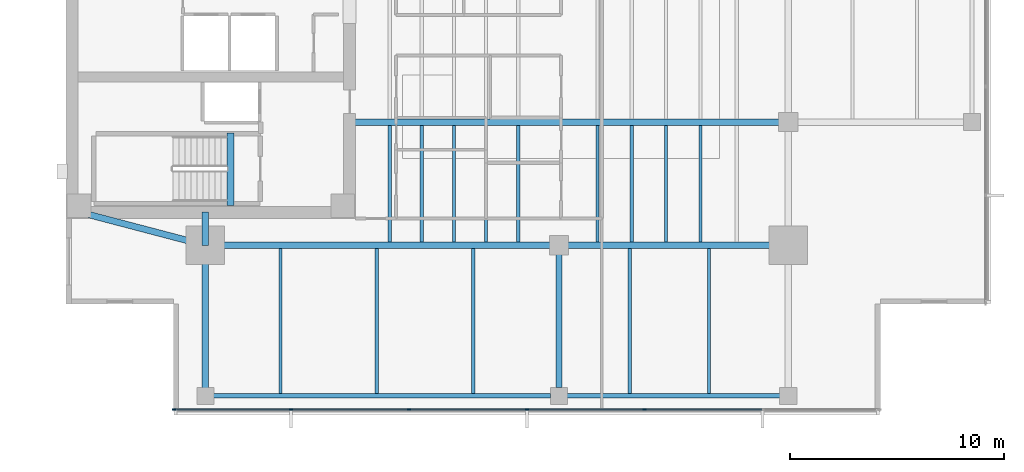
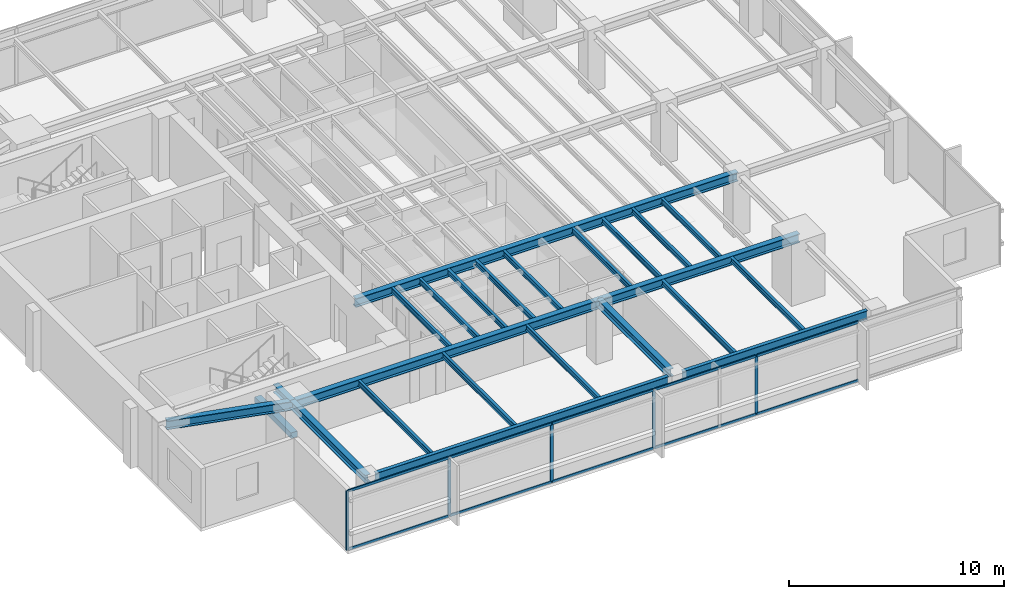
# One storey, part 2 of 14: 24 beams, 15 members, 1 element without a shape of its own.
"""IFC4 building model written with IfcOpenShell, lengths in metres."""

import ifcopenshell
import ifcopenshell.guid

model = None  # the IFC model being written
_history = None  # IfcOwnerHistory: only IFC2X3 demands one
_inside = {}  # id of a spatial element -> (the spatial element, [elements in it])
_under = {}  # id of a project, library or spatial element -> (it, [spatial elements below it])
_declared = {}  # id of a project -> (the project, [libraries it declares])
_typed = {}  # id of a type object -> (the type object, [elements of that type])
_made_of = {}  # id of a material, layer set ... -> (it, [elements and type objects made of it])


def new_model(schema):
    """Start an empty IFC model of exactly this schema.

    Asked for "IFC4X3", IfcOpenShell would pick the latest addendum, in which some entities
    have other attributes; the version numbers below select the first issue.
    IFC2X3 requires an IfcOwnerHistory on every rooted entity: one is made here for all.
    """
    global model, _history
    if schema == "IFC4X3":
        model = ifcopenshell.file(schema_version=(4, 3, 0, 0))
    else:
        model = ifcopenshell.file(schema=schema)
    _inside.clear()
    _under.clear()
    _declared.clear()
    _typed.clear()
    _made_of.clear()
    _history = None
    if model.schema == "IFC2X3":
        org = make("IfcOrganization", Name="unknown")
        user = make(
            "IfcPersonAndOrganization",
            ThePerson=make("IfcPerson", FamilyName="unknown"),
            TheOrganization=org,
        )
        app = make(
            "IfcApplication",
            ApplicationDeveloper=org,
            Version="unknown",
            ApplicationFullName="unknown",
            ApplicationIdentifier="unknown",
        )
        _history = make(
            "IfcOwnerHistory",
            OwningUser=user,
            OwningApplication=app,
            ChangeAction="ADDED",
            CreationDate=0,
        )
    return model


def make(cls, **values):
    """One entity of the class cls with the attributes given. An attribute that is None is left unset."""
    return model.create_entity(
        cls, **{name: value for name, value in values.items() if value is not None}
    )


def rooted(cls, **values):
    """An entity with a GlobalId (a new one), such as an element, a storey or a relation."""
    return make(cls, GlobalId=ifcopenshell.guid.new(), OwnerHistory=_history, **values)


def si_unit(unit_type, name, prefix=None):
    """IfcSIUnit, for example si_unit("LENGTHUNIT", "METRE", prefix="MILLI")."""
    return make("IfcSIUnit", UnitType=unit_type, Prefix=prefix, Name=name)


def assignment(units):
    """IfcUnitAssignment: the units of a project."""
    return None if units is None else make("IfcUnitAssignment", Units=units)


def point(xyz):
    """IfcCartesianPoint."""
    return None if xyz is None else make("IfcCartesianPoint", Coordinates=xyz)


def direction(xyz):
    """IfcDirection."""
    return None if xyz is None else make("IfcDirection", DirectionRatios=xyz)


def frame(location, z_axis=None, x_axis=None):
    """IfcAxis2Placement3D, a coordinate frame: its origin and axes. An axis left out is left unset."""
    return make(
        "IfcAxis2Placement3D",
        Location=point(location),
        Axis=direction(z_axis),
        RefDirection=direction(x_axis),
    )


def frame_2d(location, x_axis=None):
    """IfcAxis2Placement2D, a coordinate frame in the plane: its origin and x axis."""
    return make(
        "IfcAxis2Placement2D", Location=point(location), RefDirection=direction(x_axis)
    )


def origin():
    """The frame at (0, 0, 0) with its axes left unset."""
    return frame((0.0, 0.0, 0.0))


def origin_2d():
    """The frame at (0, 0) in the plane with its x axis left unset."""
    return frame_2d((0.0, 0.0))


def place(relative_to, where):
    """IfcLocalPlacement: puts the frame where relative to a parent placement (None: the world)."""
    return make(
        "IfcLocalPlacement", PlacementRelTo=relative_to, RelativePlacement=where
    )


def context(
    kind, dimensions, precision=None, world=None, true_north=None, identifier=None
):
    """IfcGeometricRepresentationContext, for example the 3D "Model" context."""
    return make(
        "IfcGeometricRepresentationContext",
        ContextIdentifier=identifier,
        ContextType=kind,
        CoordinateSpaceDimension=dimensions,
        Precision=precision,
        WorldCoordinateSystem=world,
        TrueNorth=true_north,
    )


def subcontext(parent, identifier, kind, view, scale=None):
    """IfcGeometricRepresentationSubContext, for example "Body" below "Model"."""
    return make(
        "IfcGeometricRepresentationSubContext",
        ContextIdentifier=identifier,
        ContextType=kind,
        ParentContext=parent,
        TargetScale=scale,
        TargetView=view,
    )


def project(units=None, contexts=None):
    """IfcProject with its units and contexts."""
    return rooted(
        "IfcProject",
        Name="project",
        RepresentationContexts=contexts,
        UnitsInContext=assignment(units),
    )


def spatial(cls, under=None, at=None, **own):
    """A site, building, storey or space (cls), placed at a placement, below another one or the project."""
    s = rooted(cls, ObjectPlacement=at, **own)
    if under is not None:
        _under.setdefault(under.id(), (under, []))[1].append(s)
    return s


def profile(cls, at=None, kind="AREA", **sizes):
    """A parametric profile (cls). Its sizes go by their IFC names, for example OverallWidth=200.0."""
    return make(cls, ProfileType=kind, Position=at, **sizes)


def rectangle(**sizes):
    """IfcRectangleProfileDef."""
    return profile("IfcRectangleProfileDef", **sizes)


def i_section(**sizes):
    """IfcIShapeProfileDef."""
    return profile("IfcIShapeProfileDef", **sizes)


def extrude(swept, where, along, depth):
    """IfcExtrudedAreaSolid: the profile swept, set in the frame where, extruded along a direction by depth."""
    return make(
        "IfcExtrudedAreaSolid",
        SweptArea=swept,
        Position=where,
        ExtrudedDirection=direction(along),
        Depth=depth,
    )


def shape(context_of_items, identifier, shape_type, items):
    """IfcShapeRepresentation: the items that make up one representation, for example the "Body"."""
    return make(
        "IfcShapeRepresentation",
        ContextOfItems=context_of_items,
        RepresentationIdentifier=identifier,
        RepresentationType=shape_type,
        Items=items,
    )


def material(Name=None, Category=None):
    """IfcMaterial."""
    return make("IfcMaterial", Name=Name, Category=Category)


def layer(
    of_material, thickness, ventilated=None, Name=None, Category=None, Priority=None
):
    """IfcMaterialLayer: one layer of a wall or slab, of a material (None: an air gap)."""
    return make(
        "IfcMaterialLayer",
        Material=of_material,
        LayerThickness=thickness,
        IsVentilated=ventilated,
        Name=Name,
        Category=Category,
        Priority=Priority,
    )


def layer_set(layers, Name=None):
    """IfcMaterialLayerSet."""
    return make("IfcMaterialLayerSet", MaterialLayers=layers, LayerSetName=Name)


def material_profile(
    of_material, cross_section, Name=None, Category=None, Priority=None
):
    """IfcMaterialProfile: a cross section and its material."""
    return make(
        "IfcMaterialProfile",
        Name=Name,
        Material=of_material,
        Profile=cross_section,
        Priority=Priority,
        Category=Category,
    )


def profile_set(profiles, Name=None, composite=None):
    """IfcMaterialProfileSet."""
    return make(
        "IfcMaterialProfileSet",
        Name=Name,
        MaterialProfiles=profiles,
        CompositeProfile=composite,
    )


def made_of(thing, what):
    """Note that an element or type object is made of a material, layer set ...; save() writes the relation."""
    if what is not None:
        _made_of.setdefault(what.id(), (what, []))[1].append(thing)
    return thing


def type_object(cls, material=None, **own):
    """A type object (cls), such as IfcWallType, which elements share."""
    return made_of(rooted(cls, **own), material)


def element(
    cls,
    number,
    at=None,
    inside=None,
    cuts=None,
    type_object=None,
    material=None,
    context=None,
    identifier="Body",
    shape_type=None,
    held_by="IfcProductDefinitionShape",
    body=None,
    shapes=None,
    **own,
):
    """One element of the class cls, such as IfcWall. Its Tag is "e" and its number.

    at: its placement. inside: the storey or other place that contains it. cuts: it is an
    opening in that element (IfcRelVoidsElement). A single representation is given by context,
    identifier, shape_type and body (its items); several are given by shapes. held_by: the class
    of the entity that holds the representations. save() writes the other relations.
    """
    e = rooted(cls, Tag="e%d" % number, ObjectPlacement=at, **own)
    if body is not None:
        shapes = [shape(context, identifier, shape_type, body)]
    if shapes is not None:
        e.Representation = make(held_by, Representations=shapes)
    if inside is not None:
        _inside.setdefault(inside.id(), (inside, []))[1].append(e)
    if cuts is not None:
        rooted(
            "IfcRelVoidsElement", RelatingBuildingElement=cuts, RelatedOpeningElement=e
        )
    if type_object is not None:
        _typed.setdefault(type_object.id(), (type_object, []))[1].append(e)
    return made_of(e, material)


def aggregate(whole, parts):
    """IfcRelAggregates: a whole, such as a stair, and the parts it consists of."""
    return rooted("IfcRelAggregates", RelatingObject=whole, RelatedObjects=parts)


def save(model, path):
    """Write the relations noted so far, then the file.

    IfcRelAggregates (storeys below a building ...), IfcRelContainedInSpatialStructure (elements
    in a storey), IfcRelDefinesByType, IfcRelAssociatesMaterial and IfcRelDeclares: one each for
    every whole, place, type object, material and project.
    """
    for whole, parts in _under.values():
        aggregate(whole, parts)
    for where, things in _inside.values():
        rooted(
            "IfcRelContainedInSpatialStructure",
            RelatedElements=things,
            RelatingStructure=where,
        )
    for kind, things in _typed.values():
        rooted("IfcRelDefinesByType", RelatedObjects=things, RelatingType=kind)
    for what, things in _made_of.values():
        rooted("IfcRelAssociatesMaterial", RelatedObjects=things, RelatingMaterial=what)
    for by, libraries in _declared.values():
        rooted("IfcRelDeclares", RelatingContext=by, RelatedDefinitions=libraries)
    model.write(path)


model = new_model("IFC4")

# Units and contexts
model_context = context("Model", 3, precision=1e-05, world=origin(), true_north=direction((0.0, 1.0)))
body_context = subcontext(model_context, "Body", "Model", "MODEL_VIEW")
ifc_project = project(units=[si_unit("LENGTHUNIT", "METRE"), si_unit("AREAUNIT", "SQUARE_METRE"), si_unit("VOLUMEUNIT", "CUBIC_METRE"), si_unit("PLANEANGLEUNIT", "RADIAN"), si_unit("MASSUNIT", "GRAM", prefix="KILO")], contexts=[model_context])

# Site, building, storey
site_placement = place(None, origin())
site = spatial("IfcSite", under=ifc_project, at=site_placement, CompositionType="ELEMENT")
building_placement = place(site_placement, origin())
building = spatial("IfcBuilding", under=site, at=building_placement, Name="Kinhvarn Gate Tower", CompositionType="ELEMENT")
storey_placement = place(building_placement, frame((0.0, 0.0, 191.60009765625)))
storey = spatial("IfcBuildingStorey", under=building, at=storey_placement, Name="L50", CompositionType="ELEMENT", Elevation=191.60009765625)

# Beam
ifc_material_1 = material(Name="Concrete C50/60", Category="concrete")
ifc_material_profile_1 = material_profile(ifc_material_1, rectangle(XDim=0.340087890625, YDim=0.320068359375, at=origin_2d()), Name="RC 340x320")
ifc_profile_set_1 = profile_set([ifc_material_profile_1], Name="Concrete C50/60")
beam_type_1 = type_object("IfcBeamType", Name="BM-LND-500", PredefinedType="BEAM", material=ifc_profile_set_1)
beam_1_placement = place(storey_placement, frame((12.1650390625, 14.60009765625, -0.16015625), z_axis=(0.0, 1.0, 0.0), x_axis=(-1.0, 0.0, 0.0)))
element("IfcBeam", 1, at=beam_1_placement, inside=storey, type_object=beam_type_1, Name="Stair ST1 Landing Nosing Beam (L50)", PredefinedType="BEAM", context=body_context, shape_type="SweptSolid", body=[
    extrude(rectangle(XDim=0.340087890625, YDim=0.320068359375, at=origin_2d()), origin(), (0.0, 0.0, 1.0), 3.39990234375),
])

# Curtain wall, members
ifc_material_2 = material(Name="Anodised aluminium AW-6063", Category="aluminium")
ifc_layer = layer(ifc_material_2, 0.179931640625)
ifc_layer_set = layer_set([ifc_layer], Name="Anodised aluminium AW-6063")
curtain_wall_type = type_object("IfcCurtainWallType", Name="CW-SYS-3", PredefinedType="NOTDEFINED", material=ifc_layer_set)
curtain_wall_placement = place(storey_placement, origin())
curtain_wall = element("IfcCurtainWall", 2, at=curtain_wall_placement, inside=storey, type_object=curtain_wall_type, Name="Curtain Wall CW3 (L50)", PredefinedType="NOTDEFINED")
ifc_material_profile_2 = material_profile(ifc_material_2, rectangle(XDim=0.06494140625, YDim=0.159912109375, at=origin_2d()), Name="ALU 65x160")
ifc_profile_set_2 = profile_set([ifc_material_profile_2], Name="Anodised aluminium AW-6063")
member_type_1 = type_object("IfcMemberType", Name="CW-MUL-160", PredefinedType="MULLION", material=ifc_profile_set_2)
member_1_placement = place(storey_placement, frame((9.532470703125, 5.090087890625, 0.0), z_axis=(0.0, 0.0, 1.0), x_axis=(0.0, 1.0, 0.0)))
member_1 = element("IfcMember", 3, at=member_1_placement, type_object=member_type_1, Name="CW3 mullion 1", PredefinedType="MULLION", context=body_context, shape_type="SweptSolid", body=[
    extrude(rectangle(XDim=0.06494140625, YDim=0.159912109375, at=origin_2d()), origin(), (0.0, 0.0, 1.0), 3.369873046875),
])
member_2_placement = place(storey_placement, frame((15.0, 5.090087890625, 0.0), z_axis=(0.0, 0.0, 1.0), x_axis=(0.0, 1.0, 0.0)))
member_2 = element("IfcMember", 4, at=member_2_placement, type_object=member_type_1, Name="CW3 mullion 2", PredefinedType="MULLION", context=body_context, shape_type="SweptSolid", body=[
    extrude(rectangle(XDim=0.06494140625, YDim=0.159912109375, at=origin_2d()), origin(), (0.0, 0.0, 1.0), 3.369873046875),
])
member_3_placement = place(storey_placement, frame((20.5, 5.090087890625, 0.0), z_axis=(0.0, 0.0, 1.0), x_axis=(0.0, 1.0, 0.0)))
member_3 = element("IfcMember", 5, at=member_3_placement, type_object=member_type_1, Name="CW3 mullion 3", PredefinedType="MULLION", context=body_context, shape_type="SweptSolid", body=[
    extrude(rectangle(XDim=0.06494140625, YDim=0.159912109375, at=origin_2d()), origin(), (0.0, 0.0, 1.0), 3.369873046875),
])
member_4_placement = place(storey_placement, frame((26.0, 5.090087890625, 0.0), z_axis=(0.0, 0.0, 1.0), x_axis=(0.0, 1.0, 0.0)))
member_4 = element("IfcMember", 6, at=member_4_placement, type_object=member_type_1, Name="CW3 mullion 4", PredefinedType="MULLION", context=body_context, shape_type="SweptSolid", body=[
    extrude(rectangle(XDim=0.06494140625, YDim=0.159912109375, at=origin_2d()), origin(), (0.0, 0.0, 1.0), 3.369873046875),
])
member_5_placement = place(storey_placement, frame((31.5, 5.090087890625, 0.0), z_axis=(0.0, 0.0, 1.0), x_axis=(0.0, 1.0, 0.0)))
member_5 = element("IfcMember", 7, at=member_5_placement, type_object=member_type_1, Name="CW3 mullion 5", PredefinedType="MULLION", context=body_context, shape_type="SweptSolid", body=[
    extrude(rectangle(XDim=0.06494140625, YDim=0.159912109375, at=origin_2d()), origin(), (0.0, 0.0, 1.0), 3.369873046875),
])
ifc_material_profile_3 = material_profile(ifc_material_2, rectangle(XDim=0.070068359375, YDim=0.139892578125, at=origin_2d()), Name="ALU 70x140")
ifc_profile_set_3 = profile_set([ifc_material_profile_3], Name="Anodised aluminium AW-6063")
member_type_2 = type_object("IfcMemberType", Name="CW-TRN-140", PredefinedType="USERDEFINED", material=ifc_profile_set_3)
member_6_placement = place(storey_placement, frame((9.56494140625, 5.090087890625, 0.034912109375), z_axis=(1.0, 0.0, 0.0), x_axis=(0.0, 1.0, 0.0)))
member_6 = element("IfcMember", 8, at=member_6_placement, type_object=member_type_2, Name="CW3 transom 1.1", ObjectType="TRANSOM", PredefinedType="USERDEFINED", context=body_context, shape_type="SweptSolid", body=[
    extrude(rectangle(XDim=0.070068359375, YDim=0.139892578125, at=origin_2d()), origin(), (0.0, 0.0, 1.0), 5.402587890625),
])
member_7_placement = place(storey_placement, frame((9.56494140625, 5.090087890625, 3.3349609375), z_axis=(1.0, 0.0, 0.0), x_axis=(0.0, 1.0, 0.0)))
member_7 = element("IfcMember", 9, at=member_7_placement, type_object=member_type_2, Name="CW3 transom 1.2", ObjectType="TRANSOM", PredefinedType="USERDEFINED", context=body_context, shape_type="SweptSolid", body=[
    extrude(rectangle(XDim=0.070068359375, YDim=0.139892578125, at=origin_2d()), origin(), (0.0, 0.0, 1.0), 5.402587890625),
])
member_8_placement = place(storey_placement, frame((15.032470703125, 5.090087890625, 0.034912109375), z_axis=(1.0, 0.0, 0.0), x_axis=(0.0, 1.0, 0.0)))
member_8 = element("IfcMember", 10, at=member_8_placement, type_object=member_type_2, Name="CW3 transom 2.1", ObjectType="TRANSOM", PredefinedType="USERDEFINED", context=body_context, shape_type="SweptSolid", body=[
    extrude(rectangle(XDim=0.070068359375, YDim=0.139892578125, at=origin_2d()), origin(), (0.0, 0.0, 1.0), 5.43505859375),
])
member_9_placement = place(storey_placement, frame((15.032470703125, 5.090087890625, 3.3349609375), z_axis=(1.0, 0.0, 0.0), x_axis=(0.0, 1.0, 0.0)))
member_9 = element("IfcMember", 11, at=member_9_placement, type_object=member_type_2, Name="CW3 transom 2.2", ObjectType="TRANSOM", PredefinedType="USERDEFINED", context=body_context, shape_type="SweptSolid", body=[
    extrude(rectangle(XDim=0.070068359375, YDim=0.139892578125, at=origin_2d()), origin(), (0.0, 0.0, 1.0), 5.43505859375),
])
member_10_placement = place(storey_placement, frame((20.532470703125, 5.090087890625, 0.034912109375), z_axis=(1.0, 0.0, 0.0), x_axis=(0.0, 1.0, 0.0)))
member_10 = element("IfcMember", 12, at=member_10_placement, type_object=member_type_2, Name="CW3 transom 3.1", ObjectType="TRANSOM", PredefinedType="USERDEFINED", context=body_context, shape_type="SweptSolid", body=[
    extrude(rectangle(XDim=0.070068359375, YDim=0.139892578125, at=origin_2d()), origin(), (0.0, 0.0, 1.0), 5.43505859375),
])
member_11_placement = place(storey_placement, frame((20.532470703125, 5.090087890625, 3.3349609375), z_axis=(1.0, 0.0, 0.0), x_axis=(0.0, 1.0, 0.0)))
member_11 = element("IfcMember", 13, at=member_11_placement, type_object=member_type_2, Name="CW3 transom 3.2", ObjectType="TRANSOM", PredefinedType="USERDEFINED", context=body_context, shape_type="SweptSolid", body=[
    extrude(rectangle(XDim=0.070068359375, YDim=0.139892578125, at=origin_2d()), origin(), (0.0, 0.0, 1.0), 5.43505859375),
])
member_12_placement = place(storey_placement, frame((26.032470703125, 5.090087890625, 0.034912109375), z_axis=(1.0, 0.0, 0.0), x_axis=(0.0, 1.0, 0.0)))
member_12 = element("IfcMember", 14, at=member_12_placement, type_object=member_type_2, Name="CW3 transom 4.1", ObjectType="TRANSOM", PredefinedType="USERDEFINED", context=body_context, shape_type="SweptSolid", body=[
    extrude(rectangle(XDim=0.070068359375, YDim=0.139892578125, at=origin_2d()), origin(), (0.0, 0.0, 1.0), 5.43505859375),
])
member_13_placement = place(storey_placement, frame((26.032470703125, 5.090087890625, 3.3349609375), z_axis=(1.0, 0.0, 0.0), x_axis=(0.0, 1.0, 0.0)))
member_13 = element("IfcMember", 15, at=member_13_placement, type_object=member_type_2, Name="CW3 transom 4.2", ObjectType="TRANSOM", PredefinedType="USERDEFINED", context=body_context, shape_type="SweptSolid", body=[
    extrude(rectangle(XDim=0.070068359375, YDim=0.139892578125, at=origin_2d()), origin(), (0.0, 0.0, 1.0), 5.43505859375),
])
member_14_placement = place(storey_placement, frame((31.532470703125, 5.090087890625, 0.034912109375), z_axis=(1.0, 0.0, 0.0), x_axis=(0.0, 1.0, 0.0)))
member_14 = element("IfcMember", 16, at=member_14_placement, type_object=member_type_2, Name="CW3 transom 5.1", ObjectType="TRANSOM", PredefinedType="USERDEFINED", context=body_context, shape_type="SweptSolid", body=[
    extrude(rectangle(XDim=0.070068359375, YDim=0.139892578125, at=origin_2d()), origin(), (0.0, 0.0, 1.0), 5.43505859375),
])
member_15_placement = place(storey_placement, frame((31.532470703125, 5.090087890625, 3.3349609375), z_axis=(1.0, 0.0, 0.0), x_axis=(0.0, 1.0, 0.0)))
member_15 = element("IfcMember", 17, at=member_15_placement, type_object=member_type_2, Name="CW3 transom 5.2", ObjectType="TRANSOM", PredefinedType="USERDEFINED", context=body_context, shape_type="SweptSolid", body=[
    extrude(rectangle(XDim=0.070068359375, YDim=0.139892578125, at=origin_2d()), origin(), (0.0, 0.0, 1.0), 5.43505859375),
])
aggregate(curtain_wall, [member_1, member_2, member_3, member_4, member_5, member_6, member_7, member_8, member_9, member_10, member_11, member_12, member_13, member_14, member_15])

# Beams
ifc_material_3 = material(Name="Steel S355", Category="steel")
ifc_material_profile_4 = material_profile(ifc_material_3, i_section(OverallWidth=0.300048828125, OverallDepth=0.449951171875, WebThickness=0.013916015625, FlangeThickness=0.02587890625, at=origin_2d()), Name="HEB 450")
ifc_profile_set_4 = profile_set([ifc_material_profile_4], Name="Steel S355")
beam_type_2 = type_object("IfcBeamType", Name="STL-HEB450", PredefinedType="BEAM", material=ifc_profile_set_4)
beam_2_placement = place(storey_placement, frame((11.0, 5.719970703125, 3.14501953125), z_axis=(0.0, 1.0, 0.0), x_axis=(-1.0, 0.0, 0.0)))
element("IfcBeam", 18, at=beam_2_placement, inside=storey, type_object=beam_type_2, Name="Floor Beam PG-13 (L50 MCW-S)", PredefinedType="BEAM", context=body_context, shape_type="SweptSolid", body=[
    extrude(i_section(OverallWidth=0.300048828125, OverallDepth=0.449951171875, WebThickness=0.013916015625, FlangeThickness=0.02587890625, at=origin_2d()), origin(), (0.0, 0.0, 1.0), 7.030029296875),
])
beam_3_placement = place(storey_placement, frame((11.0, 12.75, 3.14501953125), z_axis=(0.0, 1.0, 0.0), x_axis=(-1.0, 0.0, 0.0)))
element("IfcBeam", 19, at=beam_3_placement, inside=storey, type_object=beam_type_2, Name="Floor Beam PG-13 (L50 MCW-CS)", PredefinedType="BEAM", context=body_context, shape_type="SweptSolid", body=[
    extrude(i_section(OverallWidth=0.300048828125, OverallDepth=0.449951171875, WebThickness=0.013916015625, FlangeThickness=0.02587890625, at=origin_2d()), origin(), (0.0, 0.0, 1.0), 1.550048828125),
])
beam_4_placement = place(storey_placement, frame((27.5, 6.10498046875, 3.14501953125), z_axis=(0.0, 1.0, 0.0), x_axis=(-1.0, 0.0, 0.0)))
element("IfcBeam", 20, at=beam_4_placement, inside=storey, type_object=beam_type_2, Name="Floor Beam PG-13 (L50 SP27-S-TIE)", PredefinedType="BEAM", context=body_context, shape_type="SweptSolid", body=[
    extrude(i_section(OverallWidth=0.300048828125, OverallDepth=0.449951171875, WebThickness=0.013916015625, FlangeThickness=0.02587890625, at=origin_2d()), origin(), (0.0, 0.0, 1.0), 6.64501953125),
])
ifc_material_profile_5 = material_profile(ifc_material_3, i_section(OverallWidth=0.300048828125, OverallDepth=0.5, WebThickness=0.014404296875, FlangeThickness=0.028076171875, at=origin_2d()), Name="HEB 500")
ifc_profile_set_5 = profile_set([ifc_material_profile_5], Name="Steel S355")
beam_type_3 = type_object("IfcBeamType", Name="STL-HEB500", PredefinedType="BEAM", material=ifc_profile_set_5)
beam_5_placement = place(storey_placement, frame((11.0, 12.75, 3.119873046875), z_axis=(1.0, 0.0, 0.0), x_axis=(0.0, 1.0, 0.0)))
element("IfcBeam", 21, at=beam_5_placement, inside=storey, type_object=beam_type_3, Name="Floor Beam PG-14 (L50 MG-S1)", PredefinedType="BEAM", context=body_context, shape_type="SweptSolid", body=[
    extrude(i_section(OverallWidth=0.300048828125, OverallDepth=0.5, WebThickness=0.014404296875, FlangeThickness=0.028076171875, at=origin_2d()), origin(), (0.0, 0.0, 1.0), 16.5),
])
beam_6_placement = place(storey_placement, frame((27.5, 12.75, 3.119873046875), z_axis=(1.0, 0.0, 0.0), x_axis=(0.0, 1.0, 0.0)))
element("IfcBeam", 22, at=beam_6_placement, inside=storey, type_object=beam_type_3, Name="Floor Beam PG-14 (L50 MG-S2)", PredefinedType="BEAM", context=body_context, shape_type="SweptSolid", body=[
    extrude(i_section(OverallWidth=0.300048828125, OverallDepth=0.5, WebThickness=0.014404296875, FlangeThickness=0.028076171875, at=origin_2d()), origin(), (0.0, 0.0, 1.0), 10.699951171875),
])
beam_7_placement = place(storey_placement, frame((5.10009765625, 14.300048828125, 3.119873046875), z_axis=(0.967177623957, -0.254101246979, 0.0), x_axis=(0.254101246979, 0.967177623957, 0.0)))
element("IfcBeam", 23, at=beam_7_placement, inside=storey, type_object=beam_type_3, Name="Floor Beam PG-14 (L50 MG-SW-DIAG)", PredefinedType="BEAM", context=body_context, shape_type="SweptSolid", body=[
    extrude(i_section(OverallWidth=0.300048828125, OverallDepth=0.5, WebThickness=0.014404296875, FlangeThickness=0.028076171875, at=origin_2d()), origin(), (0.0, 0.0, 1.0), 6.10009765625),
])
beam_8_placement = place(storey_placement, frame((17.64990234375, 18.5, 3.119873046875), z_axis=(1.0, 0.0, 0.0), x_axis=(0.0, 1.0, 0.0)))
element("IfcBeam", 24, at=beam_8_placement, inside=storey, type_object=beam_type_3, Name="Floor Beam PG-14 (L50 EW1-Y18)", PredefinedType="BEAM", context=body_context, shape_type="SweptSolid", body=[
    extrude(i_section(OverallWidth=0.300048828125, OverallDepth=0.5, WebThickness=0.014404296875, FlangeThickness=0.028076171875, at=origin_2d()), origin(), (0.0, 0.0, 1.0), 20.550048828125),
])
ifc_material_profile_6 = material_profile(ifc_material_3, i_section(OverallWidth=0.14990234375, OverallDepth=0.300048828125, WebThickness=0.007080078125, FlangeThickness=0.0107421875, at=origin_2d()), Name="IPE 300")
ifc_profile_set_6 = profile_set([ifc_material_profile_6], Name="Steel S355")
beam_type_4 = type_object("IfcBeamType", Name="STL-IPE300", PredefinedType="JOIST", material=ifc_profile_set_6)
for number, where, z_axis, x_axis, name in (
    (25, (19.60009765625, 12.89990234375, 3.219970703125), (0.0, 1.0, 0.0), (-1.0, 0.0, 0.0), "Floor Joist SB-02 (L50 JC-X196-0)"),
    (26, (21.10009765625, 12.89990234375, 3.219970703125), (0.0, 1.0, 0.0), (-1.0, 0.0, 0.0), "Floor Joist SB-02 (L50 JC-X211-0)"),
    (27, (22.60009765625, 12.89990234375, 3.219970703125), (0.0, 1.0, 0.0), (-1.0, 0.0, 0.0), "Floor Joist SB-02 (L50 JC-X226-0)"),
    (28, (24.10009765625, 12.89990234375, 3.219970703125), (0.0, 1.0, 0.0), (-1.0, 0.0, 0.0), "Floor Joist SB-02 (L50 JC-X241-0)"),
    (29, (25.60009765625, 12.89990234375, 3.219970703125), (0.0, 1.0, 0.0), (-1.0, 0.0, 0.0), "Floor Joist SB-02 (L50 JC-X256-0)"),
    (30, (29.300048828125, 12.89990234375, 3.219970703125), (0.0, 1.0, 0.0), (-1.0, 0.0, 0.0), "Floor Joist SB-02 (L50 JC-X293-0)"),
    (31, (30.89990234375, 12.89990234375, 3.219970703125), (0.0, 1.0, 0.0), (-1.0, 0.0, 0.0), "Floor Joist SB-02 (L50 JC-X309-0)"),
    (32, (32.5, 12.89990234375, 3.219970703125), (0.0, 1.0, 0.0), (-1.0, 0.0, 0.0), "Floor Joist SB-02 (L50 JC-X325-0)"),
    (33, (34.10009765625, 12.89990234375, 3.219970703125), (0.0, 1.0, 0.0), (-1.0, 0.0, 0.0), "Floor Joist SB-02 (L50 JC-X341-0)"),
):
    element("IfcBeam", number, at=place(storey_placement, frame(where, z_axis=z_axis, x_axis=x_axis)), inside=storey, type_object=beam_type_4, Name=name, PredefinedType="JOIST", context=body_context, shape_type="SweptSolid", body=[
        extrude(i_section(OverallWidth=0.14990234375, OverallDepth=0.300048828125, WebThickness=0.007080078125, FlangeThickness=0.0107421875, at=origin_2d()), origin(), (0.0, 0.0, 1.0), 5.4501953125),
    ])
for number, where, z_axis, x_axis, name in (
    (34, (14.5, 5.820068359375, 3.219970703125), (0.0, 1.0, 0.0), (-1.0, 0.0, 0.0), "Floor Joist SB-02 (L50 JS-X145)"),
    (35, (19.0, 5.820068359375, 3.219970703125), (0.0, 1.0, 0.0), (-1.0, 0.0, 0.0), "Floor Joist SB-02 (L50 JS-X190)"),
    (36, (23.5, 5.820068359375, 3.219970703125), (0.0, 1.0, 0.0), (-1.0, 0.0, 0.0), "Floor Joist SB-02 (L50 JS-X235)"),
    (37, (30.800048828125, 5.820068359375, 3.219970703125), (0.0, 1.0, 0.0), (-1.0, 0.0, 0.0), "Floor Joist SB-02 (L50 JS-X308)"),
    (38, (34.5, 5.820068359375, 3.219970703125), (0.0, 1.0, 0.0), (-1.0, 0.0, 0.0), "Floor Joist SB-02 (L50 JS-X345)"),
):
    element("IfcBeam", number, at=place(storey_placement, frame(where, z_axis=z_axis, x_axis=x_axis)), inside=storey, type_object=beam_type_4, Name=name, PredefinedType="JOIST", context=body_context, shape_type="SweptSolid", body=[
        extrude(i_section(OverallWidth=0.14990234375, OverallDepth=0.300048828125, WebThickness=0.007080078125, FlangeThickness=0.0107421875, at=origin_2d()), origin(), (0.0, 0.0, 1.0), 6.780029296875),
    ])
ifc_material_profile_7 = material_profile(ifc_material_3, i_section(OverallWidth=0.199951171875, OverallDepth=0.5, WebThickness=0.01025390625, FlangeThickness=0.01611328125, at=origin_2d()), Name="IPE 500")
ifc_profile_set_7 = profile_set([ifc_material_profile_7], Name="Steel S355")
beam_type_5 = type_object("IfcBeamType", Name="STL-IPE500", PredefinedType="SPANDREL", material=ifc_profile_set_7)
beam_9_placement = place(storey_placement, frame((11.385009765625, 5.719970703125, 3.119873046875), z_axis=(1.0, 0.0, 0.0), x_axis=(0.0, 1.0, 0.0)))
element("IfcBeam", 39, at=beam_9_placement, inside=storey, type_object=beam_type_5, Name="Floor Spandrel SB-07 (L50 SP-S1)", PredefinedType="SPANDREL", context=body_context, shape_type="SweptSolid", body=[
    extrude(i_section(OverallWidth=0.199951171875, OverallDepth=0.5, WebThickness=0.01025390625, FlangeThickness=0.01611328125, at=origin_2d()), origin(), (0.0, 0.0, 1.0), 15.72998046875),
])
beam_10_placement = place(storey_placement, frame((27.885009765625, 5.719970703125, 3.119873046875), z_axis=(1.0, 0.0, 0.0), x_axis=(0.0, 1.0, 0.0)))
element("IfcBeam", 40, at=beam_10_placement, inside=storey, type_object=beam_type_5, Name="Floor Spandrel SB-07 (L50 SP-S2)", PredefinedType="SPANDREL", context=body_context, shape_type="SweptSolid", body=[
    extrude(i_section(OverallWidth=0.199951171875, OverallDepth=0.5, WebThickness=0.01025390625, FlangeThickness=0.01611328125, at=origin_2d()), origin(), (0.0, 0.0, 1.0), 9.929931640625),
])

save(model, "model.ifc")
